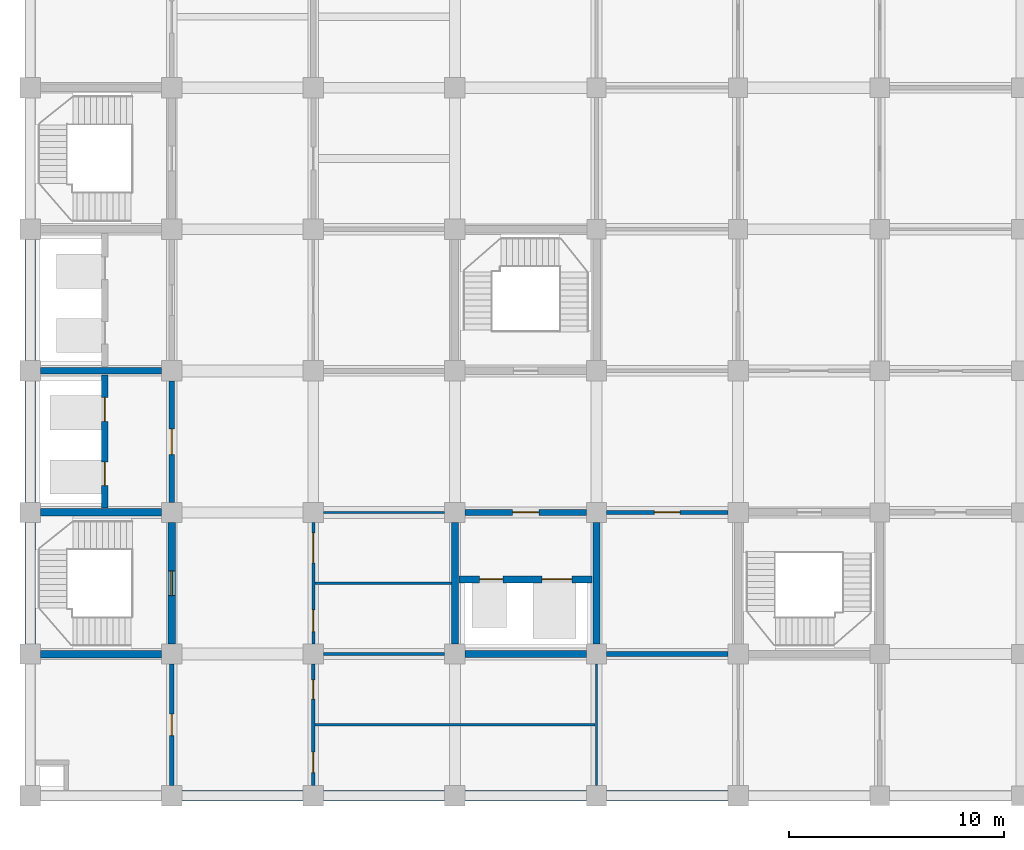
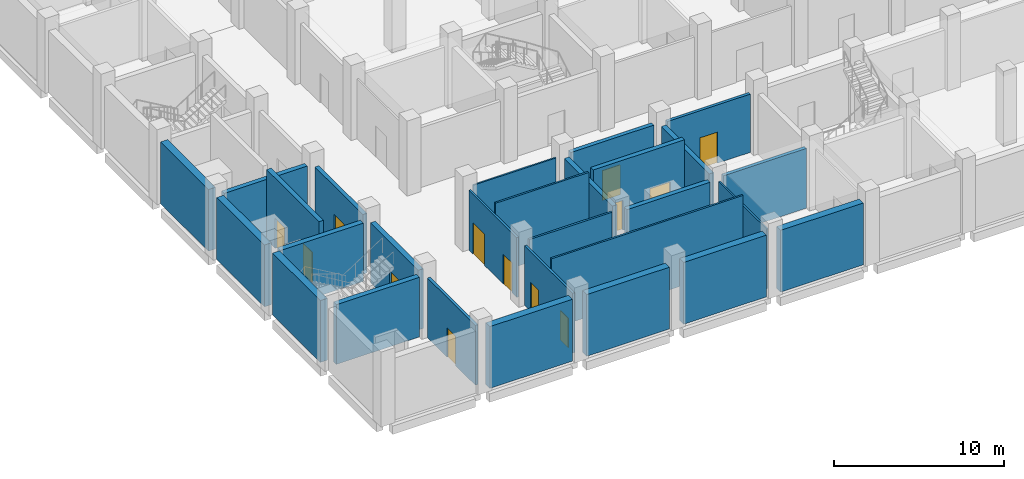
# One storey, part 8 of 28: 28 walls, 13 doors, 13 openings.
"""IFC4 building model written with IfcOpenShell, lengths in metres."""

from ifc_helpers import new_model, si_unit, direction, frame, frame_2d, origin, place, context, subcontext, project, spatial, rectangle, extrude, material, layer, layer_set, type_object, element, fill, save


model = new_model("IFC4")

# Units and contexts
model_context = context("Model", 3, precision=1e-05, world=origin(), true_north=direction((0.0, 1.0)))
body_context = subcontext(model_context, "Body", "Model", "MODEL_VIEW")
ifc_project = project(units=[si_unit("LENGTHUNIT", "METRE"), si_unit("AREAUNIT", "SQUARE_METRE"), si_unit("VOLUMEUNIT", "CUBIC_METRE"), si_unit("PLANEANGLEUNIT", "RADIAN"), si_unit("MASSUNIT", "GRAM", prefix="KILO")], contexts=[model_context])

# Site, building, storey
site_placement = place(None, origin())
site = spatial("IfcSite", under=ifc_project, at=site_placement, CompositionType="ELEMENT")
building_placement = place(site_placement, origin())
building = spatial("IfcBuilding", under=site, at=building_placement, Name="Rusizi Kubbe Research Institute", CompositionType="ELEMENT")
storey_placement = place(building_placement, origin())
storey = spatial("IfcBuildingStorey", under=building, at=storey_placement, Name="L00", CompositionType="ELEMENT", Elevation=0.0)

# Walls
ifc_material_1 = material(Name="Concrete C45/55", Category="concrete")
ifc_layer_1 = layer(ifc_material_1, 0.35009765625)
ifc_layer_set_1 = layer_set([ifc_layer_1], Name="Concrete C45/55")
wall_type_1 = type_object("IfcWallType", Name="CRW-01", PredefinedType="SHEAR", material=ifc_layer_set_1)
wall_1_placement = place(storey_placement, frame((0.47509765625, 6.60009765625, 0.0), z_axis=(0.0, 0.0, 1.0), x_axis=(1.0, 0.0, 0.0)))
element("IfcWall", 1, at=wall_1_placement, inside=storey, type_object=wall_type_1, Name="Stair Core Shear Wall ST1 L00 S", PredefinedType="SHEAR", context=body_context, shape_type="SweptSolid", body=[
    extrude(rectangle(XDim=5.64990234375, YDim=0.35009765625, at=frame_2d((2.824951171875, 0.0))), origin(), (0.0, 0.0, 1.0), 4.300048828125),
])
wall_2_placement = place(storey_placement, frame((0.47509765625, 13.199951171875, 0.0), z_axis=(0.0, 0.0, 1.0), x_axis=(1.0, 0.0, 0.0)))
element("IfcWall", 2, at=wall_2_placement, inside=storey, type_object=wall_type_1, Name="Stair Core Shear Wall ST1 L00 N", PredefinedType="SHEAR", context=body_context, shape_type="SweptSolid", body=[
    extrude(rectangle(XDim=5.64990234375, YDim=0.35009765625, at=frame_2d((2.824951171875, 0.0))), origin(), (0.0, 0.0, 1.0), 4.199951171875),
])

# Wall, opening, door
wall_3_placement = place(storey_placement, frame((6.60009765625, 7.074951171875, 0.0), z_axis=(0.0, 0.0, 1.0), x_axis=(0.0, 1.0, 0.0)))
wall_3 = element("IfcWall", 3, at=wall_3_placement, inside=storey, type_object=wall_type_1, Name="Stair Core Shear Wall ST1 L00 E", PredefinedType="SHEAR", context=body_context, shape_type="SweptSolid", body=[
    extrude(rectangle(XDim=5.650146484375, YDim=0.35009765625, at=frame_2d((2.8251953125, 0.0))), origin(), (0.0, 0.0, 1.0), 4.300048828125),
])
opening_1_placement = place(wall_3_placement, frame((2.25, 0.0, 0.0)))
opening_1 = element("IfcOpeningElement", 4, at=opening_1_placement, cuts=wall_3, Name="Opening D-02", PredefinedType="OPENING", context=body_context, shape_type="SweptSolid", body=[
    extrude(rectangle(XDim=1.14990234375, YDim=2.199951171875, at=frame_2d((0.574951171875, 1.10009765625))), frame((0.0, 0.18505859375, 0.0), z_axis=(0.0, -1.0, 0.0), x_axis=(1.0, 0.0, 0.0)), (0.0, 0.0, 1.0), 0.3701171875),
])
ifc_material_2 = material(Name="Fire-Rated Steel Frame and Acoustic Timber Leaf", Category="wood")
door_type_1 = type_object("IfcDoorType", Name="ID-STAIR-115", OperationType="NOTDEFINED", PredefinedType="DOOR", material=ifc_material_2)
door_1_placement = place(opening_1_placement, origin())
door_1 = element("IfcDoor", 5, at=door_1_placement, inside=storey, type_object=door_type_1, Name="Exit Stair Door ST1 L00", OperationType="SINGLE_SWING_RIGHT", OverallHeight=2.199951171875, OverallWidth=1.14990234375, PredefinedType="DOOR", context=body_context, shape_type="SweptSolid", body=[
    extrude(rectangle(XDim=1.14990234375, YDim=2.199951171875, at=frame_2d((0.574951171875, 1.10009765625))), frame((0.0, 0.02490234375, 0.0), z_axis=(0.0, -1.0, 0.0), x_axis=(1.0, 0.0, 0.0)), (0.0, 0.0, 1.0), 0.050048828125),
])
fill(opening_1, door_1)

# Walls
ifc_material_3 = material(Name="Concrete C45/55", Category="concrete")
ifc_layer_2 = layer(ifc_material_3, 0.31494140625)
ifc_layer_set_2 = layer_set([ifc_layer_2], Name="Concrete C45/55")
wall_type_2 = type_object("IfcWallType", Name="CRW-02", PredefinedType="SHEAR", material=ifc_layer_set_2)
wall_4_placement = place(storey_placement, frame((0.47509765625, 19.800048828125, 0.0), z_axis=(0.0, 0.0, 1.0), x_axis=(1.0, 0.0, 0.0)))
element("IfcWall", 6, at=wall_4_placement, inside=storey, type_object=wall_type_2, Name="Lift Core Divider Wall (0,2-3) L00", PredefinedType="SHEAR", context=body_context, shape_type="SweptSolid", body=[
    extrude(rectangle(XDim=5.64990234375, YDim=0.31494140625, at=frame_2d((2.824951171875, 0.0))), origin(), (0.0, 0.0, 1.0), 4.300048828125),
])
wall_5_placement = place(storey_placement, frame((20.27490234375, 6.60009765625, 0.0), z_axis=(0.0, 0.0, 1.0), x_axis=(1.0, 0.0, 0.0)))
element("IfcWall", 7, at=wall_5_placement, inside=storey, type_object=wall_type_2, Name="Lab Lift Core Wall S (3,1) L00", PredefinedType="SHEAR", context=body_context, shape_type="SweptSolid", body=[
    extrude(rectangle(XDim=5.650146484375, YDim=0.31494140625, at=frame_2d((2.8251953125, 0.0))), origin(), (0.0, 0.0, 1.0), 4.199951171875),
])
for number, where, z_axis, x_axis, name in (
    (8, (19.800048828125, 7.074951171875, 0.0), (0.0, 0.0, 1.0), (0.0, 1.0, 0.0), "Lab Lift Core Wall W (3,1) L00"),
    (9, (26.39990234375, 7.074951171875, 0.0), (0.0, 0.0, 1.0), (0.0, 1.0, 0.0), "Lab Lift Core Wall E (3,1) L00"),
):
    element("IfcWall", number, at=place(storey_placement, frame(where, z_axis=z_axis, x_axis=x_axis)), inside=storey, type_object=wall_type_2, Name=name, PredefinedType="SHEAR", context=body_context, shape_type="SweptSolid", body=[
        extrude(rectangle(XDim=5.650146484375, YDim=0.31494140625, at=frame_2d((2.8251953125, 0.0))), origin(), (0.0, 0.0, 1.0), 4.300048828125),
    ])

# Wall, openings, doors
wall_6_placement = place(storey_placement, frame((3.47998046875, 13.39990234375, 0.0), z_axis=(0.0, 0.0, 1.0), x_axis=(0.0, 1.0, 0.0)))
wall_6 = element("IfcWall", 10, at=wall_6_placement, inside=storey, type_object=wall_type_2, Name="Firefighting Lift Shaft Front Wall L00", PredefinedType="SHEAR", context=body_context, shape_type="SweptSolid", body=[
    extrude(rectangle(XDim=6.2001953125, YDim=0.31494140625, at=frame_2d((3.10009765625, 0.0))), origin(), (0.0, 0.0, 1.0), 5.050048828125),
])
opening_2_placement = place(wall_6_placement, frame((1.050048828125, 0.0, 0.0)))
opening_2 = element("IfcOpeningElement", 11, at=opening_2_placement, cuts=wall_6, Name="Opening LD-01", PredefinedType="OPENING", context=body_context, shape_type="SweptSolid", body=[
    extrude(rectangle(XDim=1.10009765625, YDim=2.14990234375, at=frame_2d((0.550048828125, 1.074951171875))), frame((0.0, 0.16748046875, 0.0), z_axis=(0.0, -1.0, 0.0), x_axis=(1.0, 0.0, 0.0)), (0.0, 0.0, 1.0), 0.3349609375),
])
opening_3_placement = place(wall_6_placement, frame((4.050048828125, 0.0, 0.0)))
opening_3 = element("IfcOpeningElement", 12, at=opening_3_placement, cuts=wall_6, Name="Opening LD-02", PredefinedType="OPENING", context=body_context, shape_type="SweptSolid", body=[
    extrude(rectangle(XDim=1.1201171875, YDim=2.14990234375, at=frame_2d((0.56005859375, 1.074951171875))), frame((0.0, 0.16748046875, 0.0), z_axis=(0.0, -1.0, 0.0), x_axis=(1.0, 0.0, 0.0)), (0.0, 0.0, 1.0), 0.3349609375),
])
ifc_material_4 = material(Name="Brushed Stainless Steel Sliding Door", Category="steel")
door_type_2 = type_object("IfcDoorType", Name="LD-01", OperationType="DOUBLE_DOOR_SLIDING", PredefinedType="USERDEFINED", material=ifc_material_4)
door_2_placement = place(opening_2_placement, origin())
door_2 = element("IfcDoor", 13, at=door_2_placement, inside=storey, type_object=door_type_2, Name="Lift Landing Sliding Door FL1 L00", ObjectType="SLIDING DOOR", OperationType="DOUBLE_DOOR_SLIDING", OverallHeight=2.14990234375, OverallWidth=1.10009765625, PredefinedType="USERDEFINED", context=body_context, shape_type="SweptSolid", body=[
    extrude(rectangle(XDim=1.10009765625, YDim=2.14990234375, at=frame_2d((0.550048828125, 1.074951171875))), frame((0.0, 0.02490234375, 0.0), z_axis=(0.0, -1.0, 0.0), x_axis=(1.0, 0.0, 0.0)), (0.0, 0.0, 1.0), 0.050048828125),
])
fill(opening_2, door_2)
ifc_material_5 = material(Name="Brushed Stainless Steel Sliding Door", Category="steel")
door_type_3 = type_object("IfcDoorType", Name="LD-02", OperationType="DOUBLE_DOOR_SLIDING", PredefinedType="USERDEFINED", material=ifc_material_5)
door_3_placement = place(opening_3_placement, origin())
door_3 = element("IfcDoor", 14, at=door_3_placement, inside=storey, type_object=door_type_3, Name="Lift Landing Sliding Door FL2 L00", ObjectType="SLIDING DOOR", OperationType="DOUBLE_DOOR_SLIDING", OverallHeight=2.14990234375, OverallWidth=1.1201171875, PredefinedType="USERDEFINED", context=body_context, shape_type="SweptSolid", body=[
    extrude(rectangle(XDim=1.1201171875, YDim=2.14990234375, at=frame_2d((0.56005859375, 1.074951171875))), frame((0.0, 0.02490234375, 0.0), z_axis=(0.0, -1.0, 0.0), x_axis=(1.0, 0.0, 0.0)), (0.0, 0.0, 1.0), 0.050048828125),
])
fill(opening_3, door_3)

wall_7_placement = place(storey_placement, frame((20.0, 10.080078125, 0.0), z_axis=(0.0, 0.0, 1.0), x_axis=(1.0, 0.0, 0.0)))
wall_7 = element("IfcWall", 15, at=wall_7_placement, inside=storey, type_object=wall_type_2, Name="Goods Lift Shaft Front Wall L00", PredefinedType="SHEAR", context=body_context, shape_type="SweptSolid", body=[
    extrude(rectangle(XDim=6.199951171875, YDim=0.31494140625, at=frame_2d((3.10009765625, 0.0))), origin(), (0.0, 0.0, 1.0), 5.050048828125),
])
opening_4_placement = place(wall_7_placement, frame((0.949951171875, 0.0, 0.0)))
opening_4 = element("IfcOpeningElement", 16, at=opening_4_placement, cuts=wall_7, Name="Opening LD-05", PredefinedType="OPENING", context=body_context, shape_type="SweptSolid", body=[
    extrude(rectangle(XDim=1.080078125, YDim=2.14990234375, at=frame_2d((0.5400390625, 1.074951171875))), frame((0.0, 0.16748046875, 0.0), z_axis=(0.0, -1.0, 0.0), x_axis=(1.0, 0.0, 0.0)), (0.0, 0.0, 1.0), 0.3349609375),
])
opening_5_placement = place(wall_7_placement, frame((3.85009765625, 0.0, 0.0)))
opening_5 = element("IfcOpeningElement", 17, at=opening_5_placement, cuts=wall_7, Name="Opening LD-06", PredefinedType="OPENING", context=body_context, shape_type="SweptSolid", body=[
    extrude(rectangle(XDim=1.39990234375, YDim=2.35009765625, at=frame_2d((0.699951171875, 1.175048828125))), frame((0.0, 0.16748046875, 0.0), z_axis=(0.0, -1.0, 0.0), x_axis=(1.0, 0.0, 0.0)), (0.0, 0.0, 1.0), 0.3349609375),
])
ifc_material_6 = material(Name="Brushed Stainless Steel Sliding Door", Category="steel")
door_type_4 = type_object("IfcDoorType", Name="LD-05", OperationType="DOUBLE_DOOR_SLIDING", PredefinedType="USERDEFINED", material=ifc_material_6)
door_4_placement = place(opening_4_placement, origin())
door_4 = element("IfcDoor", 18, at=door_4_placement, inside=storey, type_object=door_type_4, Name="Lift Landing Sliding Door LP3 L00", ObjectType="SLIDING DOOR", OperationType="DOUBLE_DOOR_SLIDING", OverallHeight=2.14990234375, OverallWidth=1.080078125, PredefinedType="USERDEFINED", context=body_context, shape_type="SweptSolid", body=[
    extrude(rectangle(XDim=1.080078125, YDim=2.14990234375, at=frame_2d((0.5400390625, 1.074951171875))), frame((0.0, 0.02490234375, 0.0), z_axis=(0.0, -1.0, 0.0), x_axis=(1.0, 0.0, 0.0)), (0.0, 0.0, 1.0), 0.050048828125),
])
fill(opening_4, door_4)
ifc_material_7 = material(Name="Brushed Stainless Steel Sliding Door", Category="steel")
door_type_5 = type_object("IfcDoorType", Name="LD-06", OperationType="DOUBLE_DOOR_SLIDING", PredefinedType="USERDEFINED", material=ifc_material_7)
door_5_placement = place(opening_5_placement, origin())
door_5 = element("IfcDoor", 19, at=door_5_placement, inside=storey, type_object=door_type_5, Name="Lift Landing Sliding Door LG1 L00", ObjectType="SLIDING DOOR", OperationType="DOUBLE_DOOR_SLIDING", OverallHeight=2.35009765625, OverallWidth=1.39990234375, PredefinedType="USERDEFINED", context=body_context, shape_type="SweptSolid", body=[
    extrude(rectangle(XDim=1.39990234375, YDim=2.35009765625, at=frame_2d((0.699951171875, 1.175048828125))), frame((0.0, 0.02490234375, 0.0), z_axis=(0.0, -1.0, 0.0), x_axis=(1.0, 0.0, 0.0)), (0.0, 0.0, 1.0), 0.050048828125),
])
fill(opening_5, door_5)

# Wall
ifc_material_8 = material(Name="Concrete Blockwork Fire Partition", Category="masonry")
ifc_layer_3 = layer(ifc_material_8, 0.22509765625)
ifc_layer_set_3 = layer_set([ifc_layer_3], Name="Concrete Blockwork Fire Partition")
wall_type_3 = type_object("IfcWallType", Name="IW-01", PredefinedType="PARTITIONING", material=ifc_layer_set_3)
wall_8_placement = place(storey_placement, frame((26.875, 6.60009765625, 0.0), z_axis=(0.0, 0.0, 1.0), x_axis=(1.0, 0.0, 0.0)))
element("IfcWall", 20, at=wall_8_placement, inside=storey, type_object=wall_type_3, Name="Interior Partition Wall L00 H4-1", PredefinedType="PARTITIONING", context=body_context, shape_type="SweptSolid", body=[
    extrude(rectangle(XDim=5.64990234375, YDim=0.22509765625, at=frame_2d((2.824951171875, 0.0))), origin(), (0.0, 0.0, 1.0), 4.300048828125),
])

# Wall, opening, door
ifc_material_9 = material(Name="Insulated Cleanroom Partition", Category="masonry")
ifc_layer_4 = layer(ifc_material_9, 0.195068359375)
ifc_layer_set_4 = layer_set([ifc_layer_4], Name="Insulated Cleanroom Partition")
wall_type_4 = type_object("IfcWallType", Name="IW-02", PredefinedType="PARTITIONING", material=ifc_layer_set_4)
wall_9_placement = place(storey_placement, frame((6.60009765625, 0.47509765625, 0.0), z_axis=(0.0, 0.0, 1.0), x_axis=(0.0, 1.0, 0.0)))
wall_9 = element("IfcWall", 21, at=wall_9_placement, inside=storey, type_object=wall_type_4, Name="Interior Partition Wall L00 V1-0", PredefinedType="PARTITIONING", context=body_context, shape_type="SweptSolid", body=[
    extrude(rectangle(XDim=5.64990234375, YDim=0.195068359375, at=frame_2d((2.824951171875, 0.0))), origin(), (0.0, 0.0, 1.0), 4.300048828125),
])
opening_6_placement = place(wall_9_placement, frame((2.324951171875, 0.0, 0.0)))
opening_6 = element("IfcOpeningElement", 22, at=opening_6_placement, cuts=wall_9, Name="Opening D-04", PredefinedType="OPENING", context=body_context, shape_type="SweptSolid", body=[
    extrude(rectangle(XDim=1.0, YDim=2.10009765625, at=frame_2d((0.5, 1.050048828125))), frame((0.0, 0.107421875, 0.0), z_axis=(0.0, -1.0, 0.0), x_axis=(1.0, 0.0, 0.0)), (0.0, 0.0, 1.0), 0.215087890625),
])
ifc_material_10 = material(Name="Fire-Rated Steel Frame and Acoustic Timber Leaf", Category="wood")
door_type_6 = type_object("IfcDoorType", Name="ID-MEP-100", OperationType="NOTDEFINED", PredefinedType="DOOR", material=ifc_material_10)
door_6_placement = place(opening_6_placement, origin())
door_6 = element("IfcDoor", 23, at=door_6_placement, inside=storey, type_object=door_type_6, Name="Door to Service Spine Utility Riser Room (L00-MEP-01)", OperationType="SINGLE_SWING_RIGHT", OverallHeight=2.10009765625, OverallWidth=1.0, PredefinedType="DOOR", context=body_context, shape_type="SweptSolid", body=[
    extrude(rectangle(XDim=1.0, YDim=2.10009765625, at=frame_2d((0.5, 1.050048828125))), frame((0.0, 0.02490234375, 0.0), z_axis=(0.0, -1.0, 0.0), x_axis=(1.0, 0.0, 0.0)), (0.0, 0.0, 1.0), 0.050048828125),
])
fill(opening_6, door_6)

wall_10_placement = place(storey_placement, frame((26.875, 13.199951171875, 0.0), z_axis=(0.0, 0.0, 1.0), x_axis=(1.0, 0.0, 0.0)))
wall_10 = element("IfcWall", 24, at=wall_10_placement, inside=storey, type_object=wall_type_4, Name="Interior Partition Wall L00 H4-2", PredefinedType="PARTITIONING", context=body_context, shape_type="SweptSolid", body=[
    extrude(rectangle(XDim=5.64990234375, YDim=0.195068359375, at=frame_2d((2.824951171875, 0.0))), origin(), (0.0, 0.0, 1.0), 4.199951171875),
])
opening_7_placement = place(wall_10_placement, frame((2.22509765625, 0.0, 0.0)))
opening_7 = element("IfcOpeningElement", 25, at=opening_7_placement, cuts=wall_10, Name="Opening D-03", PredefinedType="OPENING", context=body_context, shape_type="SweptSolid", body=[
    extrude(rectangle(XDim=1.199951171875, YDim=2.25, at=frame_2d((0.60009765625, 1.125))), frame((0.0, 0.107421875, 0.0), z_axis=(0.0, -1.0, 0.0), x_axis=(1.0, 0.0, 0.0)), (0.0, 0.0, 1.0), 0.215087890625),
])
ifc_material_11 = material(Name="Fire-Rated Steel Frame and Acoustic Timber Leaf", Category="wood")
door_type_7 = type_object("IfcDoorType", Name="ID-FF-120", OperationType="NOTDEFINED", PredefinedType="DOOR", material=ifc_material_11)
door_7_placement = place(opening_7_placement, origin())
door_7 = element("IfcDoor", 26, at=door_7_placement, inside=storey, type_object=door_type_7, Name="Door to Fire Control Room (L00-FCR-01)", OperationType="SINGLE_SWING_LEFT", OverallHeight=2.25, OverallWidth=1.199951171875, PredefinedType="DOOR", context=body_context, shape_type="SweptSolid", body=[
    extrude(rectangle(XDim=1.199951171875, YDim=2.25, at=frame_2d((0.60009765625, 1.125))), frame((0.0, 0.02490234375, 0.0), z_axis=(0.0, -1.0, 0.0), x_axis=(1.0, 0.0, 0.0)), (0.0, 0.0, 1.0), 0.050048828125),
])
fill(opening_7, door_7)

# Wall, openings, doors
ifc_material_12 = material(Name="Fire-Rated Corridor Partition", Category="masonry")
ifc_layer_5 = layer(ifc_material_12, 0.155029296875)
ifc_layer_set_5 = layer_set([ifc_layer_5], Name="Fire-Rated Corridor Partition")
wall_type_5 = type_object("IfcWallType", Name="IW-04", PredefinedType="PARTITIONING", material=ifc_layer_set_5)
wall_11_placement = place(storey_placement, frame((13.199951171875, 0.47509765625, 0.0), z_axis=(0.0, 0.0, 1.0), x_axis=(0.0, 1.0, 0.0)))
wall_11 = element("IfcWall", 27, at=wall_11_placement, inside=storey, type_object=wall_type_5, Name="Sanitary Core West Corridor Wall L00", PredefinedType="PARTITIONING", context=body_context, shape_type="SweptSolid", body=[
    extrude(rectangle(XDim=5.64990234375, YDim=0.155029296875, at=frame_2d((2.824951171875, 0.0))), origin(), (0.0, 0.0, 1.0), 4.300048828125),
])
opening_8_placement = place(wall_11_placement, frame((0.60009765625, 0.0, 0.0)))
opening_8 = element("IfcOpeningElement", 28, at=opening_8_placement, cuts=wall_11, Name="Opening D-06", PredefinedType="OPENING", context=body_context, shape_type="SweptSolid", body=[
    extrude(rectangle(XDim=0.949951171875, YDim=2.10009765625, at=frame_2d((0.47509765625, 1.050048828125))), frame((0.0, 0.08740234375, 0.0), z_axis=(0.0, -1.0, 0.0), x_axis=(1.0, 0.0, 0.0)), (0.0, 0.0, 1.0), 0.175048828125),
])
opening_9_placement = place(wall_11_placement, frame((4.02490234375, 0.0, 0.0)))
opening_9 = element("IfcOpeningElement", 29, at=opening_9_placement, cuts=wall_11, Name="Opening D-05", PredefinedType="OPENING", context=body_context, shape_type="SweptSolid", body=[
    extrude(rectangle(XDim=0.89990234375, YDim=2.10009765625, at=frame_2d((0.449951171875, 1.050048828125))), frame((0.0, 0.08740234375, 0.0), z_axis=(0.0, -1.0, 0.0), x_axis=(1.0, 0.0, 0.0)), (0.0, 0.0, 1.0), 0.175048828125),
])
ifc_material_13 = material(Name="Fire-Rated Steel Frame and Acoustic Timber Leaf", Category="wood")
door_type_8 = type_object("IfcDoorType", Name="ID-WC-900", OperationType="NOTDEFINED", PredefinedType="DOOR", material=ifc_material_13)
door_8_placement = place(opening_9_placement, origin())
door_8 = element("IfcDoor", 30, at=door_8_placement, inside=storey, type_object=door_type_8, Name="Door to Female Toilet Room (L00-WC-F)", OperationType="SINGLE_SWING_LEFT", OverallHeight=2.10009765625, OverallWidth=0.89990234375, PredefinedType="DOOR", context=body_context, shape_type="SweptSolid", body=[
    extrude(rectangle(XDim=0.89990234375, YDim=2.10009765625, at=frame_2d((0.449951171875, 1.050048828125))), frame((0.0, 0.02490234375, 0.0), z_axis=(0.0, -1.0, 0.0), x_axis=(1.0, 0.0, 0.0)), (0.0, 0.0, 1.0), 0.050048828125),
])
fill(opening_9, door_8)
ifc_material_14 = material(Name="Fire-Rated Steel Frame and Acoustic Timber Leaf", Category="wood")
door_type_9 = type_object("IfcDoorType", Name="ID-WC-950", OperationType="NOTDEFINED", PredefinedType="DOOR", material=ifc_material_14)
door_9_placement = place(opening_8_placement, origin())
door_9 = element("IfcDoor", 31, at=door_9_placement, inside=storey, type_object=door_type_9, Name="Door to Male Toilet Room (L00-WC-M)", OperationType="SINGLE_SWING_RIGHT", OverallHeight=2.10009765625, OverallWidth=0.949951171875, PredefinedType="DOOR", context=body_context, shape_type="SweptSolid", body=[
    extrude(rectangle(XDim=0.949951171875, YDim=2.10009765625, at=frame_2d((0.47509765625, 1.050048828125))), frame((0.0, 0.02490234375, 0.0), z_axis=(0.0, -1.0, 0.0), x_axis=(1.0, 0.0, 0.0)), (0.0, 0.0, 1.0), 0.050048828125),
])
fill(opening_8, door_9)

# Wall
ifc_material_15 = material(Name="Write-up Glazed Acoustic Partition", Category="masonry")
ifc_layer_6 = layer(ifc_material_15, 0.139892578125)
ifc_layer_set_6 = layer_set([ifc_layer_6], Name="Write-up Glazed Acoustic Partition")
wall_type_6 = type_object("IfcWallType", Name="IW-05", PredefinedType="PARTITIONING", material=ifc_layer_set_6)
wall_12_placement = place(storey_placement, frame((13.675048828125, 6.60009765625, 0.0), z_axis=(0.0, 0.0, 1.0), x_axis=(1.0, 0.0, 0.0)))
element("IfcWall", 32, at=wall_12_placement, inside=storey, type_object=wall_type_6, Name="Sanitary Core North Divider Wall L00", PredefinedType="PARTITIONING", context=body_context, shape_type="SweptSolid", body=[
    extrude(rectangle(XDim=5.64990234375, YDim=0.139892578125, at=frame_2d((2.824951171875, 0.0))), origin(), (0.0, 0.0, 1.0), 4.300048828125),
])

# Wall, openings, doors
wall_13_placement = place(storey_placement, frame((13.199951171875, 7.074951171875, 0.0), z_axis=(0.0, 0.0, 1.0), x_axis=(0.0, 1.0, 0.0)))
wall_13 = element("IfcWall", 33, at=wall_13_placement, inside=storey, type_object=wall_type_6, Name="Accessible WC and Store West Wall L00", PredefinedType="PARTITIONING", context=body_context, shape_type="SweptSolid", body=[
    extrude(rectangle(XDim=5.650146484375, YDim=0.139892578125, at=frame_2d((2.8251953125, 0.0))), origin(), (0.0, 0.0, 1.0), 4.300048828125),
])
opening_10_placement = place(wall_13_placement, frame((0.56494140625, 0.0, 0.0)))
opening_10 = element("IfcOpeningElement", 34, at=opening_10_placement, cuts=wall_13, Name="Opening D-07", PredefinedType="OPENING", context=body_context, shape_type="SweptSolid", body=[
    extrude(rectangle(XDim=1.02001953125, YDim=2.14990234375, at=frame_2d((0.510009765625, 1.074951171875))), frame((0.0, 0.079833984375, 0.0), z_axis=(0.0, -1.0, 0.0), x_axis=(1.0, 0.0, 0.0)), (0.0, 0.0, 1.0), 0.159912109375),
])
opening_11_placement = place(wall_13_placement, frame((3.77490234375, 0.0, 0.0)))
opening_11 = element("IfcOpeningElement", 35, at=opening_11_placement, cuts=wall_13, Name="Opening D-12", PredefinedType="OPENING", context=body_context, shape_type="SweptSolid", body=[
    extrude(rectangle(XDim=1.39990234375, YDim=2.25, at=frame_2d((0.699951171875, 1.125))), frame((0.0, 0.079833984375, 0.0), z_axis=(0.0, -1.0, 0.0), x_axis=(1.0, 0.0, 0.0)), (0.0, 0.0, 1.0), 0.159912109375),
])
ifc_material_16 = material(Name="Fire-Rated Steel Frame and Acoustic Timber Leaf", Category="wood")
door_type_10 = type_object("IfcDoorType", Name="ID-LAB-140", OperationType="NOTDEFINED", PredefinedType="DOOR", material=ifc_material_16)
door_10_placement = place(opening_11_placement, origin())
door_10 = element("IfcDoor", 36, at=door_10_placement, inside=storey, type_object=door_type_10, Name="Door to Laboratory Reagent Store (L00-STR-01)", OperationType="SINGLE_SWING_RIGHT", OverallHeight=2.25, OverallWidth=1.39990234375, PredefinedType="DOOR", context=body_context, shape_type="SweptSolid", body=[
    extrude(rectangle(XDim=1.39990234375, YDim=2.25, at=frame_2d((0.699951171875, 1.125))), frame((0.0, 0.02490234375, 0.0), z_axis=(0.0, -1.0, 0.0), x_axis=(1.0, 0.0, 0.0)), (0.0, 0.0, 1.0), 0.050048828125),
])
fill(opening_11, door_10)
ifc_material_17 = material(Name="Fire-Rated Steel Frame and Acoustic Timber Leaf", Category="wood")
door_type_11 = type_object("IfcDoorType", Name="ID-WC-ACC", OperationType="NOTDEFINED", PredefinedType="DOOR", material=ifc_material_17)
door_11_placement = place(opening_10_placement, origin())
door_11 = element("IfcDoor", 37, at=door_11_placement, inside=storey, type_object=door_type_11, Name="Door to Accessible Toilet Room (L00-WC-ACC)", OperationType="SINGLE_SWING_LEFT", OverallHeight=2.14990234375, OverallWidth=1.02001953125, PredefinedType="DOOR", context=body_context, shape_type="SweptSolid", body=[
    extrude(rectangle(XDim=1.02001953125, YDim=2.14990234375, at=frame_2d((0.510009765625, 1.074951171875))), frame((0.0, 0.02490234375, 0.0), z_axis=(0.0, -1.0, 0.0), x_axis=(1.0, 0.0, 0.0)), (0.0, 0.0, 1.0), 0.050048828125),
])
fill(opening_10, door_11)

# Walls
ifc_material_18 = material(Name="Sanitary Wet-Wall Partition", Category="masonry")
ifc_layer_7 = layer(ifc_material_18, 0.125)
ifc_layer_set_7 = layer_set([ifc_layer_7], Name="Sanitary Wet-Wall Partition")
wall_type_7 = type_object("IfcWallType", Name="IW-06", PredefinedType="PARTITIONING", material=ifc_layer_set_7)
wall_14_placement = place(storey_placement, frame((13.282470703125, 3.300048828125, 0.0), z_axis=(0.0, 0.0, 1.0), x_axis=(1.0, 0.0, 0.0)))
element("IfcWall", 38, at=wall_14_placement, inside=storey, type_object=wall_type_7, Name="Sanitary Divider Wall L00-1", PredefinedType="PARTITIONING", context=body_context, shape_type="SweptSolid", body=[
    extrude(rectangle(XDim=13.0576171875, YDim=0.125, at=frame_2d((6.52880859375, 0.0))), origin(), (0.0, 0.0, 1.0), 5.050048828125),
])
wall_15_placement = place(storey_placement, frame((13.27490234375, 9.89990234375, 0.0), z_axis=(0.0, 0.0, 1.0), x_axis=(1.0, 0.0, 0.0)))
element("IfcWall", 39, at=wall_15_placement, inside=storey, type_object=wall_type_7, Name="Sanitary Divider Wall L00-2", PredefinedType="PARTITIONING", context=body_context, shape_type="SweptSolid", body=[
    extrude(rectangle(XDim=6.362548828125, YDim=0.125, at=frame_2d((3.18115234375, 0.0))), origin(), (0.0, 0.0, 1.0), 5.050048828125),
])
ifc_material_19 = material(Name="Sub-Suite Fire Partition", Category="masonry")
ifc_layer_8 = layer(ifc_material_19, 0.110107421875)
ifc_layer_set_8 = layer_set([ifc_layer_8], Name="Sub-Suite Fire Partition")
wall_type_8 = type_object("IfcWallType", Name="IW-07", PredefinedType="PARTITIONING", material=ifc_layer_set_8)
wall_16_placement = place(storey_placement, frame((26.39990234375, 0.47509765625, 0.0), z_axis=(0.0, 0.0, 1.0), x_axis=(0.0, 1.0, 0.0)))
element("IfcWall", 40, at=wall_16_placement, inside=storey, type_object=wall_type_8, Name="Sanitary Core East Enclosing Wall L00", PredefinedType="PARTITIONING", context=body_context, shape_type="SweptSolid", body=[
    extrude(rectangle(XDim=5.64990234375, YDim=0.110107421875, at=frame_2d((2.824951171875, 0.0))), origin(), (0.0, 0.0, 1.0), 4.300048828125),
])
wall_17_placement = place(storey_placement, frame((13.675048828125, 13.199951171875, 0.0), z_axis=(0.0, 0.0, 1.0), x_axis=(1.0, 0.0, 0.0)))
element("IfcWall", 41, at=wall_17_placement, inside=storey, type_object=wall_type_8, Name="Reagent Store North Corridor Wall L00", PredefinedType="PARTITIONING", context=body_context, shape_type="SweptSolid", body=[
    extrude(rectangle(XDim=5.64990234375, YDim=0.110107421875, at=frame_2d((2.824951171875, 0.0))), origin(), (0.0, 0.0, 1.0), 4.199951171875),
])
ifc_material_20 = material(Name="Concrete C40/50", Category="concrete")
ifc_layer_9 = layer(ifc_material_20, 0.47998046875)
ifc_layer_set_9 = layer_set([ifc_layer_9], Name="Concrete C40/50")
wall_type_9 = type_object("IfcWallType", Name="PW-01", PredefinedType="SOLIDWALL", material=ifc_layer_set_9)
wall_18_placement = place(storey_placement, frame((0.0, 7.074951171875, 0.0), z_axis=(0.0, 0.0, 1.0), x_axis=(0.0, 1.0, 0.0)))
element("IfcWall", 42, at=wall_18_placement, inside=storey, type_object=wall_type_9, Name="Blind Party Wall L00 V0-1", PredefinedType="SOLIDWALL", context=body_context, shape_type="SweptSolid", body=[
    extrude(rectangle(XDim=5.650146484375, YDim=0.47998046875, at=frame_2d((2.8251953125, 0.0))), origin(), (0.0, 0.0, 1.0), 4.449951171875),
])
wall_19_placement = place(storey_placement, frame((0.0, 13.675048828125, 0.0), z_axis=(0.0, 0.0, 1.0), x_axis=(0.0, 1.0, 0.0)))
element("IfcWall", 43, at=wall_19_placement, inside=storey, type_object=wall_type_9, Name="Blind Party Wall L00 V0-2", PredefinedType="SOLIDWALL", context=body_context, shape_type="SweptSolid", body=[
    extrude(rectangle(XDim=5.64990234375, YDim=0.47998046875, at=frame_2d((2.824951171875, 0.0))), origin(), (0.0, 0.0, 1.0), 4.449951171875),
])
for number, where, z_axis, x_axis, name in (
    (44, (0.0, 20.27490234375, 0.0), (0.0, 0.0, 1.0), (0.0, 1.0, 0.0), "Blind Party Wall L00 V0-3"),
    (45, (7.074951171875, 0.0, 0.0), (0.0, 0.0, 1.0), (1.0, 0.0, 0.0), "Blind Party Wall L00 H1-0"),
):
    element("IfcWall", number, at=place(storey_placement, frame(where, z_axis=z_axis, x_axis=x_axis)), inside=storey, type_object=wall_type_9, Name=name, PredefinedType="SOLIDWALL", context=body_context, shape_type="SweptSolid", body=[
        extrude(rectangle(XDim=5.650146484375, YDim=0.47998046875, at=frame_2d((2.8251953125, 0.0))), origin(), (0.0, 0.0, 1.0), 4.449951171875),
    ])
wall_20_placement = place(storey_placement, frame((13.675048828125, 0.0, 0.0), z_axis=(0.0, 0.0, 1.0), x_axis=(1.0, 0.0, 0.0)))
element("IfcWall", 46, at=wall_20_placement, inside=storey, type_object=wall_type_9, Name="Blind Party Wall L00 H2-0", PredefinedType="SOLIDWALL", context=body_context, shape_type="SweptSolid", body=[
    extrude(rectangle(XDim=5.64990234375, YDim=0.47998046875, at=frame_2d((2.824951171875, 0.0))), origin(), (0.0, 0.0, 1.0), 4.449951171875),
])
wall_21_placement = place(storey_placement, frame((20.27490234375, 0.0, 0.0), z_axis=(0.0, 0.0, 1.0), x_axis=(1.0, 0.0, 0.0)))
element("IfcWall", 47, at=wall_21_placement, inside=storey, type_object=wall_type_9, Name="Blind Party Wall L00 H3-0", PredefinedType="SOLIDWALL", context=body_context, shape_type="SweptSolid", body=[
    extrude(rectangle(XDim=5.650146484375, YDim=0.47998046875, at=frame_2d((2.8251953125, 0.0))), origin(), (0.0, 0.0, 1.0), 4.449951171875),
])
wall_22_placement = place(storey_placement, frame((26.875, 0.0, 0.0), z_axis=(0.0, 0.0, 1.0), x_axis=(1.0, 0.0, 0.0)))
element("IfcWall", 48, at=wall_22_placement, inside=storey, type_object=wall_type_9, Name="Blind Party Wall L00 H4-0", PredefinedType="SOLIDWALL", context=body_context, shape_type="SweptSolid", body=[
    extrude(rectangle(XDim=5.64990234375, YDim=0.47998046875, at=frame_2d((2.824951171875, 0.0))), origin(), (0.0, 0.0, 1.0), 4.449951171875),
])

# Wall, opening, door
ifc_material_21 = material(Name="Concrete C40/50", Category="concrete")
ifc_layer_10 = layer(ifc_material_21, 0.27490234375)
ifc_layer_set_10 = layer_set([ifc_layer_10], Name="Concrete C40/50")
wall_type_10 = type_object("IfcWallType", Name="SHW-01", PredefinedType="SHEAR", material=ifc_layer_set_10)
wall_23_placement = place(storey_placement, frame((6.60009765625, 13.675048828125, 0.0), z_axis=(0.0, 0.0, 1.0), x_axis=(0.0, 1.0, 0.0)))
wall_23 = element("IfcWall", 49, at=wall_23_placement, inside=storey, type_object=wall_type_10, Name="Firefighting Lobby Wall L00", PredefinedType="SHEAR", context=body_context, shape_type="SweptSolid", body=[
    extrude(rectangle(XDim=5.64990234375, YDim=0.27490234375, at=frame_2d((2.824951171875, 0.0))), origin(), (0.0, 0.0, 1.0), 4.300048828125),
])
opening_12_placement = place(wall_23_placement, frame((2.22509765625, 0.0, 0.0)))
opening_12 = element("IfcOpeningElement", 50, at=opening_12_placement, cuts=wall_23, Name="Opening D-03", PredefinedType="OPENING", context=body_context, shape_type="SweptSolid", body=[
    extrude(rectangle(XDim=1.199951171875, YDim=2.25, at=frame_2d((0.60009765625, 1.125))), frame((0.0, 0.1474609375, 0.0), z_axis=(0.0, -1.0, 0.0), x_axis=(1.0, 0.0, 0.0)), (0.0, 0.0, 1.0), 0.294921875),
])
door_12_placement = place(opening_12_placement, origin())
door_12 = element("IfcDoor", 51, at=door_12_placement, inside=storey, type_object=door_type_7, Name="Door to Firefighting Lift Lobby (L00-FFL-01)", OperationType="SINGLE_SWING_LEFT", OverallHeight=2.25, OverallWidth=1.199951171875, PredefinedType="DOOR", context=body_context, shape_type="SweptSolid", body=[
    extrude(rectangle(XDim=1.199951171875, YDim=2.25, at=frame_2d((0.60009765625, 1.125))), frame((0.0, 0.02490234375, 0.0), z_axis=(0.0, -1.0, 0.0), x_axis=(1.0, 0.0, 0.0)), (0.0, 0.0, 1.0), 0.050048828125),
])
fill(opening_12, door_12)

wall_24_placement = place(storey_placement, frame((20.27490234375, 13.199951171875, 0.0), z_axis=(0.0, 0.0, 1.0), x_axis=(1.0, 0.0, 0.0)))
wall_24 = element("IfcWall", 52, at=wall_24_placement, inside=storey, type_object=wall_type_10, Name="Goods Lift Lobby Wall L00", PredefinedType="SHEAR", context=body_context, shape_type="SweptSolid", body=[
    extrude(rectangle(XDim=5.650146484375, YDim=0.27490234375, at=frame_2d((2.8251953125, 0.0))), origin(), (0.0, 0.0, 1.0), 4.300048828125),
])
opening_13_placement = place(wall_24_placement, frame((2.215087890625, 0.0, 0.0)))
opening_13 = element("IfcOpeningElement", 53, at=opening_13_placement, cuts=wall_24, Name="Opening D-21", PredefinedType="OPENING", context=body_context, shape_type="SweptSolid", body=[
    extrude(rectangle(XDim=1.219970703125, YDim=2.14990234375, at=frame_2d((0.60986328125, 1.074951171875))), frame((0.0, 0.1474609375, 0.0), z_axis=(0.0, -1.0, 0.0), x_axis=(1.0, 0.0, 0.0)), (0.0, 0.0, 1.0), 0.294921875),
])
ifc_material_22 = material(Name="Fire-Rated Steel Frame and Acoustic Timber Leaf", Category="wood")
door_type_12 = type_object("IfcDoorType", Name="ID-STR-122", OperationType="NOTDEFINED", PredefinedType="DOOR", material=ifc_material_22)
door_13_placement = place(opening_13_placement, origin())
door_13 = element("IfcDoor", 54, at=door_13_placement, inside=storey, type_object=door_type_12, Name="Door to Laboratory Goods Lift Lobby (L00-GLB-01)", OperationType="SINGLE_SWING_RIGHT", OverallHeight=2.14990234375, OverallWidth=1.219970703125, PredefinedType="DOOR", context=body_context, shape_type="SweptSolid", body=[
    extrude(rectangle(XDim=1.219970703125, YDim=2.14990234375, at=frame_2d((0.60986328125, 1.074951171875))), frame((0.0, 0.02490234375, 0.0), z_axis=(0.0, -1.0, 0.0), x_axis=(1.0, 0.0, 0.0)), (0.0, 0.0, 1.0), 0.050048828125),
])
fill(opening_13, door_13)

save(model, "model.ifc")
